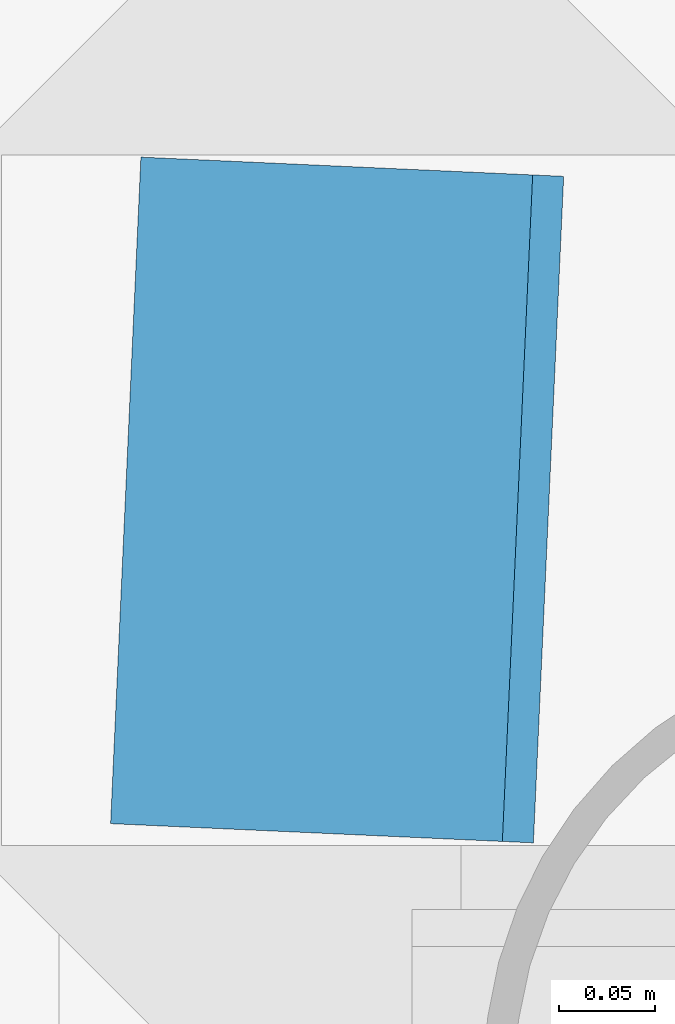
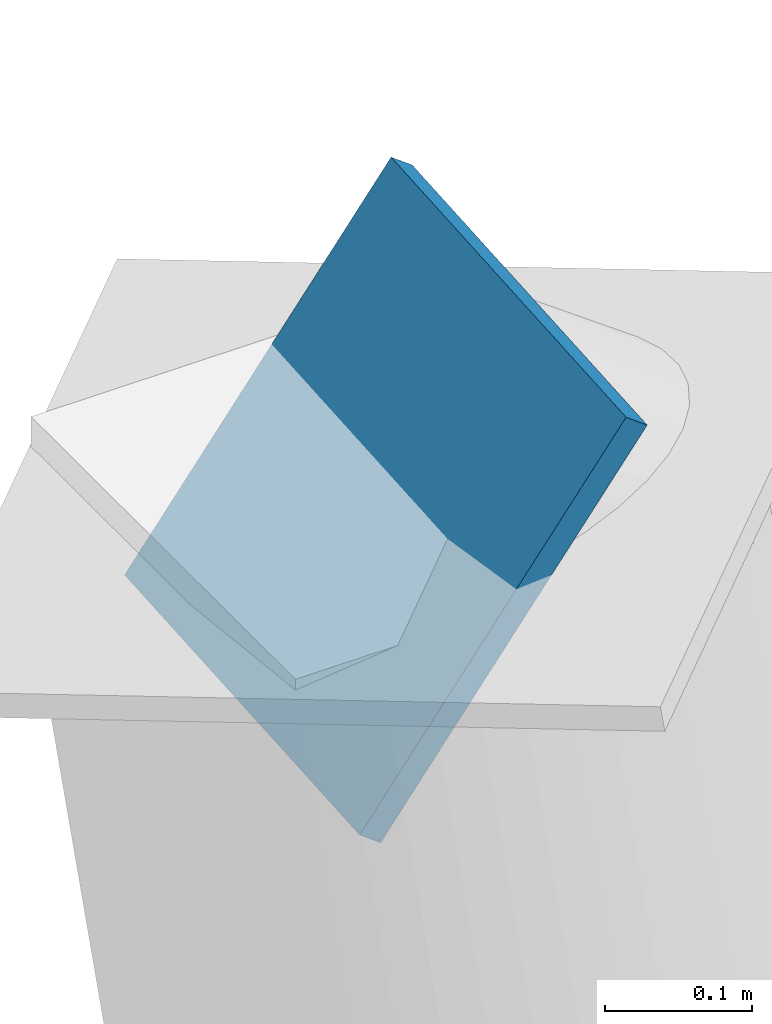
# One storey, part 105 of 138: 1 discrete accessory.
"""IFC4 building model written with IfcOpenShell, lengths in metres."""

from ifc_helpers import new_model, si_unit, direction, frame, origin, origin_2d, place, context, subcontext, project, spatial, rectangle, extrude, material, layer, layer_set, type_object, element, save


model = new_model("IFC4")

# Units and contexts
model_context = context("Model", 3, precision=1e-05, world=origin(), true_north=direction((0.0, 1.0)))
body_context = subcontext(model_context, "Body", "Model", "MODEL_VIEW")
ifc_project = project(units=[si_unit("LENGTHUNIT", "METRE"), si_unit("AREAUNIT", "SQUARE_METRE"), si_unit("VOLUMEUNIT", "CUBIC_METRE"), si_unit("PLANEANGLEUNIT", "RADIAN"), si_unit("MASSUNIT", "GRAM", prefix="KILO")], contexts=[model_context])

# Site, building, storey
site_placement = place(None, origin())
site = spatial("IfcSite", under=ifc_project, at=site_placement, CompositionType="ELEMENT")
building_placement = place(site_placement, origin())
building = spatial("IfcBuilding", under=site, at=building_placement, Name="Kranzveld Transit Interchange", CompositionType="ELEMENT")
storey_placement = place(building_placement, frame((0.0, 0.0, 5.43994140625)))
storey = spatial("IfcBuildingStorey", under=building, at=storey_placement, Name="L01", CompositionType="ELEMENT", Elevation=5.43994140625)

# Discrete accessory
ifc_material = material(Name="Steel S355JR", Category="steel")
ifc_layer = layer(ifc_material, 0.02001953125)
ifc_layer_set = layer_set([ifc_layer], Name="Steel S355JR")
discrete_accessory_type = type_object("IfcDiscreteAccessoryType", Name="Hollow Section End Cap Bracket 20 S355JR", PredefinedType="BRACKET", material=ifc_layer_set)
discrete_accessory_placement = place(storey_placement, frame((58.503173828125, 88.2998046875, 19.15771484375), z_axis=(-0.808190194208, 0.036735917919, 0.587774686697), x_axis=(-0.045407660919, -0.99896854021, 0.0)))
element("IfcDiscreteAccessory", 1, at=discrete_accessory_placement, inside=storey, type_object=discrete_accessory_type, Name="Hollow Section End Cap ST-CHS324-2", PredefinedType="BRACKET", context=body_context, shape_type="SweptSolid", body=[
    extrude(rectangle(XDim=0.347900390625, YDim=0.347900390625, at=origin_2d()), origin(), (0.0, 0.0, 1.0), 0.02001953125),
])

save(model, "model.ifc")
